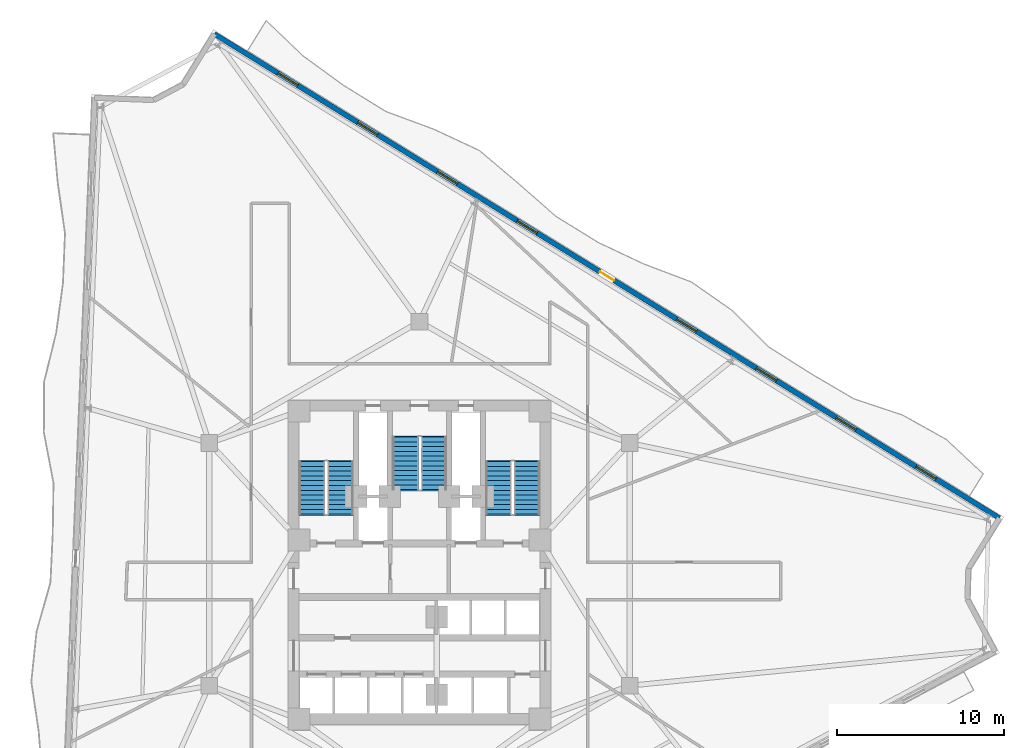
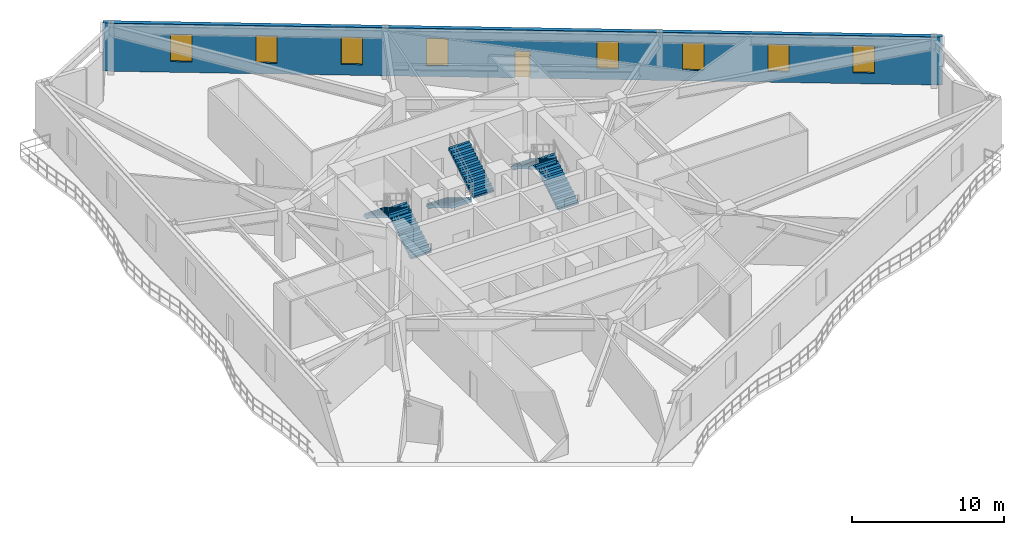
# One storey, part 8 of 12: 8 windows, 6 stair flights, 1 door, 1 wall, 9 openings, 3 elements without a shape of their own.
"""IFC4 building model written with IfcOpenShell, lengths in metres."""

from ifc_helpers import new_model, si_unit, direction, frame, frame_2d, origin, place, context, subcontext, project, spatial, polyline, rectangle, outline, extrude, material, layer, layer_set, type_object, element, fill, aggregate, save


model = new_model("IFC4")

# Units and contexts
model_context = context("Model", 3, precision=1e-05, world=origin(), true_north=direction((0.0, 1.0)))
body_context = subcontext(model_context, "Body", "Model", "MODEL_VIEW")
ifc_project = project(units=[si_unit("LENGTHUNIT", "METRE"), si_unit("AREAUNIT", "SQUARE_METRE"), si_unit("VOLUMEUNIT", "CUBIC_METRE"), si_unit("PLANEANGLEUNIT", "RADIAN"), si_unit("MASSUNIT", "GRAM", prefix="KILO")], contexts=[model_context])

# Site, building, storey
site_placement = place(None, origin())
site = spatial("IfcSite", under=ifc_project, at=site_placement, CompositionType="ELEMENT")
building_placement = place(site_placement, origin())
building = spatial("IfcBuilding", under=site, at=building_placement, Name="Apsidion Concourse Tower", CompositionType="ELEMENT")
storey_placement = place(building_placement, frame((0.0, 0.0, 181.89990234375)))
storey = spatial("IfcBuildingStorey", under=building, at=storey_placement, Name="L42", CompositionType="ELEMENT", Elevation=181.89990234375)

# Wall, openings, door, windows
ifc_material_1 = material(Name="Precast concrete C40/50", Category="concrete")
ifc_layer = layer(ifc_material_1, 0.300048828125)
ifc_layer_set = layer_set([ifc_layer], Name="Precast concrete C40/50")
wall_type = type_object("IfcWallType", Name="WL-EXT-300", PredefinedType="STANDARD", material=ifc_layer_set)
wall_placement = place(storey_placement, frame((-12.255126953125, 31.68896484375, 0.0), z_axis=(0.0, 0.0, 1.0), x_axis=(0.851166647402, -0.524895549944, 0.0)))
wall = element("IfcWall", 1, at=wall_placement, inside=storey, type_object=wall_type, Name="L42 Precast Stone Facade Wall 01", PredefinedType="STANDARD", context=body_context, shape_type="SweptSolid", body=[
    extrude(rectangle(XDim=55.110595703125, YDim=0.300048828125, at=frame_2d((27.55517578125, 0.0))), origin(), (0.0, 0.0, 1.0), 3.85009765625),
])
opening_1_placement = place(wall_placement, frame((27.055419921875, 0.0, 0.0)))
opening_1 = element("IfcOpeningElement", 2, at=opening_1_placement, cuts=wall, Name="Opening D-T1L", PredefinedType="OPENING", context=body_context, shape_type="SweptSolid", body=[
    extrude(rectangle(XDim=1.0, YDim=2.14990234375, at=frame_2d((0.5, 1.074951171875))), frame((0.0, 0.16015625, 0.0), z_axis=(0.0, -1.0, 0.0), x_axis=(1.0, 0.0, 0.0)), (0.0, 0.0, 1.0), 0.320068359375),
])
opening_2_placement = place(wall_placement, frame((4.455322265625, 0.0, 0.85009765625)))
opening_2 = element("IfcOpeningElement", 3, at=opening_2_placement, cuts=wall, Name="Opening WN-05", PredefinedType="OPENING", context=body_context, shape_type="SweptSolid", body=[
    extrude(rectangle(XDim=1.39990234375, YDim=2.199951171875, at=frame_2d((0.699951171875, 1.10009765625))), frame((0.0, 0.16015625, 0.0), z_axis=(0.0, -1.0, 0.0), x_axis=(1.0, 0.0, 0.0)), (0.0, 0.0, 1.0), 0.320068359375),
])
opening_3_placement = place(wall_placement, frame((10.055419921875, 0.0, 0.85009765625)))
opening_3 = element("IfcOpeningElement", 4, at=opening_3_placement, cuts=wall, Name="Opening WN-05", PredefinedType="OPENING", context=body_context, shape_type="SweptSolid", body=[
    extrude(rectangle(XDim=1.39990234375, YDim=2.199951171875, at=frame_2d((0.699951171875, 1.10009765625))), frame((0.0, 0.16015625, 0.0), z_axis=(0.0, -1.0, 0.0), x_axis=(1.0, 0.0, 0.0)), (0.0, 0.0, 1.0), 0.320068359375),
])
opening_4_placement = place(wall_placement, frame((15.6552734375, 0.0, 0.85009765625)))
opening_4 = element("IfcOpeningElement", 5, at=opening_4_placement, cuts=wall, Name="Opening WN-05", PredefinedType="OPENING", context=body_context, shape_type="SweptSolid", body=[
    extrude(rectangle(XDim=1.39990234375, YDim=2.199951171875, at=frame_2d((0.699951171875, 1.10009765625))), frame((0.0, 0.16015625, 0.0), z_axis=(0.0, -1.0, 0.0), x_axis=(1.0, 0.0, 0.0)), (0.0, 0.0, 1.0), 0.320068359375),
])
opening_5_placement = place(wall_placement, frame((21.25537109375, 0.0, 0.85009765625)))
opening_5 = element("IfcOpeningElement", 6, at=opening_5_placement, cuts=wall, Name="Opening WN-05", PredefinedType="OPENING", context=body_context, shape_type="SweptSolid", body=[
    extrude(rectangle(XDim=1.39990234375, YDim=2.199951171875, at=frame_2d((0.699951171875, 1.10009765625))), frame((0.0, 0.16015625, 0.0), z_axis=(0.0, -1.0, 0.0), x_axis=(1.0, 0.0, 0.0)), (0.0, 0.0, 1.0), 0.320068359375),
])
opening_6_placement = place(wall_placement, frame((32.455322265625, 0.0, 0.85009765625)))
opening_6 = element("IfcOpeningElement", 7, at=opening_6_placement, cuts=wall, Name="Opening WN-05", PredefinedType="OPENING", context=body_context, shape_type="SweptSolid", body=[
    extrude(rectangle(XDim=1.39990234375, YDim=2.199951171875, at=frame_2d((0.699951171875, 1.10009765625))), frame((0.0, 0.16015625, 0.0), z_axis=(0.0, -1.0, 0.0), x_axis=(1.0, 0.0, 0.0)), (0.0, 0.0, 1.0), 0.320068359375),
])
opening_7_placement = place(wall_placement, frame((38.055419921875, 0.0, 0.85009765625)))
opening_7 = element("IfcOpeningElement", 8, at=opening_7_placement, cuts=wall, Name="Opening WN-05", PredefinedType="OPENING", context=body_context, shape_type="SweptSolid", body=[
    extrude(rectangle(XDim=1.39990234375, YDim=2.199951171875, at=frame_2d((0.699951171875, 1.10009765625))), frame((0.0, 0.16015625, 0.0), z_axis=(0.0, -1.0, 0.0), x_axis=(1.0, 0.0, 0.0)), (0.0, 0.0, 1.0), 0.320068359375),
])
opening_8_placement = place(wall_placement, frame((43.6552734375, 0.0, 0.85009765625)))
opening_8 = element("IfcOpeningElement", 9, at=opening_8_placement, cuts=wall, Name="Opening WN-05", PredefinedType="OPENING", context=body_context, shape_type="SweptSolid", body=[
    extrude(rectangle(XDim=1.39990234375, YDim=2.199951171875, at=frame_2d((0.699951171875, 1.10009765625))), frame((0.0, 0.16015625, 0.0), z_axis=(0.0, -1.0, 0.0), x_axis=(1.0, 0.0, 0.0)), (0.0, 0.0, 1.0), 0.320068359375),
])
opening_9_placement = place(wall_placement, frame((49.25537109375, 0.0, 0.85009765625)))
opening_9 = element("IfcOpeningElement", 10, at=opening_9_placement, cuts=wall, Name="Opening WN-05", PredefinedType="OPENING", context=body_context, shape_type="SweptSolid", body=[
    extrude(rectangle(XDim=1.39990234375, YDim=2.199951171875, at=frame_2d((0.699951171875, 1.10009765625))), frame((0.0, 0.16015625, 0.0), z_axis=(0.0, -1.0, 0.0), x_axis=(1.0, 0.0, 0.0)), (0.0, 0.0, 1.0), 0.320068359375),
])
ifc_material_2 = material(Name="Anodised aluminium EN AW-6063 T6", Category="aluminium")
door_type = type_object("IfcDoorType", Name="DR-TER-1022L", OperationType="SINGLE_SWING_LEFT", PredefinedType="DOOR", material=ifc_material_2)
door_placement = place(opening_1_placement, origin())
door = element("IfcDoor", 11, at=door_placement, inside=storey, type_object=door_type, Name="L42 Balcony Access Door 3", OperationType="SINGLE_SWING_LEFT", OverallHeight=2.14990234375, OverallWidth=1.0, PredefinedType="DOOR", context=body_context, shape_type="SweptSolid", body=[
    extrude(rectangle(XDim=1.0, YDim=2.14990234375, at=frame_2d((0.5, 1.074951171875))), frame((0.0, 0.02490234375, 0.0), z_axis=(0.0, -1.0, 0.0), x_axis=(1.0, 0.0, 0.0)), (0.0, 0.0, 1.0), 0.050048828125),
])
fill(opening_1, door)
ifc_material_3 = material(Name="Insulated laminated low-E glass", Category="glass")
window_type = type_object("IfcWindowType", Name="WN-OFF-1424", PartitioningType="SINGLE_PANEL", PredefinedType="WINDOW", material=ifc_material_3)
window_1_placement = place(opening_2_placement, origin())
window_1 = element("IfcWindow", 12, at=window_1_placement, inside=storey, type_object=window_type, Name="L42 Punched Facade Window 1-01", OverallHeight=2.199951171875, OverallWidth=1.39990234375, PartitioningType="SINGLE_PANEL", PredefinedType="WINDOW", context=body_context, shape_type="SweptSolid", body=[
    extrude(rectangle(XDim=1.39990234375, YDim=2.199951171875, at=frame_2d((0.699951171875, 1.10009765625))), frame((0.0, 0.030029296875, 0.0), z_axis=(0.0, -1.0, 0.0), x_axis=(1.0, 0.0, 0.0)), (0.0, 0.0, 1.0), 0.06005859375),
])
fill(opening_2, window_1)
window_2_placement = place(opening_3_placement, origin())
window_2 = element("IfcWindow", 13, at=window_2_placement, inside=storey, type_object=window_type, Name="L42 Punched Facade Window 1-02", OverallHeight=2.199951171875, OverallWidth=1.39990234375, PartitioningType="SINGLE_PANEL", PredefinedType="WINDOW", context=body_context, shape_type="SweptSolid", body=[
    extrude(rectangle(XDim=1.39990234375, YDim=2.199951171875, at=frame_2d((0.699951171875, 1.10009765625))), frame((0.0, 0.030029296875, 0.0), z_axis=(0.0, -1.0, 0.0), x_axis=(1.0, 0.0, 0.0)), (0.0, 0.0, 1.0), 0.06005859375),
])
fill(opening_3, window_2)
window_3_placement = place(opening_4_placement, origin())
window_3 = element("IfcWindow", 14, at=window_3_placement, inside=storey, type_object=window_type, Name="L42 Punched Facade Window 1-03", OverallHeight=2.199951171875, OverallWidth=1.39990234375, PartitioningType="SINGLE_PANEL", PredefinedType="WINDOW", context=body_context, shape_type="SweptSolid", body=[
    extrude(rectangle(XDim=1.39990234375, YDim=2.199951171875, at=frame_2d((0.699951171875, 1.10009765625))), frame((0.0, 0.030029296875, 0.0), z_axis=(0.0, -1.0, 0.0), x_axis=(1.0, 0.0, 0.0)), (0.0, 0.0, 1.0), 0.06005859375),
])
fill(opening_4, window_3)
window_4_placement = place(opening_5_placement, origin())
window_4 = element("IfcWindow", 15, at=window_4_placement, inside=storey, type_object=window_type, Name="L42 Punched Facade Window 1-04", OverallHeight=2.199951171875, OverallWidth=1.39990234375, PartitioningType="SINGLE_PANEL", PredefinedType="WINDOW", context=body_context, shape_type="SweptSolid", body=[
    extrude(rectangle(XDim=1.39990234375, YDim=2.199951171875, at=frame_2d((0.699951171875, 1.10009765625))), frame((0.0, 0.030029296875, 0.0), z_axis=(0.0, -1.0, 0.0), x_axis=(1.0, 0.0, 0.0)), (0.0, 0.0, 1.0), 0.06005859375),
])
fill(opening_5, window_4)
window_5_placement = place(opening_6_placement, origin())
window_5 = element("IfcWindow", 16, at=window_5_placement, inside=storey, type_object=window_type, Name="L42 Punched Facade Window 1-06", OverallHeight=2.199951171875, OverallWidth=1.39990234375, PartitioningType="SINGLE_PANEL", PredefinedType="WINDOW", context=body_context, shape_type="SweptSolid", body=[
    extrude(rectangle(XDim=1.39990234375, YDim=2.199951171875, at=frame_2d((0.699951171875, 1.10009765625))), frame((0.0, 0.030029296875, 0.0), z_axis=(0.0, -1.0, 0.0), x_axis=(1.0, 0.0, 0.0)), (0.0, 0.0, 1.0), 0.06005859375),
])
fill(opening_6, window_5)
window_6_placement = place(opening_7_placement, origin())
window_6 = element("IfcWindow", 17, at=window_6_placement, inside=storey, type_object=window_type, Name="L42 Punched Facade Window 1-07", OverallHeight=2.199951171875, OverallWidth=1.39990234375, PartitioningType="SINGLE_PANEL", PredefinedType="WINDOW", context=body_context, shape_type="SweptSolid", body=[
    extrude(rectangle(XDim=1.39990234375, YDim=2.199951171875, at=frame_2d((0.699951171875, 1.10009765625))), frame((0.0, 0.030029296875, 0.0), z_axis=(0.0, -1.0, 0.0), x_axis=(1.0, 0.0, 0.0)), (0.0, 0.0, 1.0), 0.06005859375),
])
fill(opening_7, window_6)
window_7_placement = place(opening_8_placement, origin())
window_7 = element("IfcWindow", 18, at=window_7_placement, inside=storey, type_object=window_type, Name="L42 Punched Facade Window 1-08", OverallHeight=2.199951171875, OverallWidth=1.39990234375, PartitioningType="SINGLE_PANEL", PredefinedType="WINDOW", context=body_context, shape_type="SweptSolid", body=[
    extrude(rectangle(XDim=1.39990234375, YDim=2.199951171875, at=frame_2d((0.699951171875, 1.10009765625))), frame((0.0, 0.030029296875, 0.0), z_axis=(0.0, -1.0, 0.0), x_axis=(1.0, 0.0, 0.0)), (0.0, 0.0, 1.0), 0.06005859375),
])
fill(opening_8, window_7)
window_8_placement = place(opening_9_placement, origin())
window_8 = element("IfcWindow", 19, at=window_8_placement, inside=storey, type_object=window_type, Name="L42 Punched Facade Window 1-09", OverallHeight=2.199951171875, OverallWidth=1.39990234375, PartitioningType="SINGLE_PANEL", PredefinedType="WINDOW", context=body_context, shape_type="SweptSolid", body=[
    extrude(rectangle(XDim=1.39990234375, YDim=2.199951171875, at=frame_2d((0.699951171875, 1.10009765625))), frame((0.0, 0.030029296875, 0.0), z_axis=(0.0, -1.0, 0.0), x_axis=(1.0, 0.0, 0.0)), (0.0, 0.0, 1.0), 0.06005859375),
])
fill(opening_9, window_8)

# Stair, stair flights
stair_type = type_object("IfcStairType", Name="ST-DL-1550", PredefinedType="HALF_TURN_STAIR", material=ifc_material_1)
stair_1_placement = place(storey_placement, origin())
stair_1 = element("IfcStair", 20, at=stair_1_placement, inside=storey, type_object=stair_type, Name="L42 Protected Core Exit Stair ST1", PredefinedType="HALF_TURN_STAIR")
stair_flight_type = type_object("IfcStairFlightType", Name="SFL-RC-1550", PredefinedType="STRAIGHT", material=ifc_material_1)
stair_flight_1_placement = place(storey_placement, frame((-4.72509765625, 3.0, 0.0), z_axis=(0.0, 0.0, 1.0), x_axis=(0.0, 1.0, 0.0)))
stair_flight_1 = element("IfcStairFlight", 21, at=stair_flight_1_placement, type_object=stair_flight_type, Name="ST1 flight 1", NumberOfRisers=12, NumberOfTreads=11, PredefinedType="STRAIGHT", RiserHeight=0.170833333, TreadLength=0.285, context=body_context, shape_type="SweptSolid", body=[
    extrude(outline(polyline([(-0.080078125, -0.1123046875), (-0.080078125, 0.0), (0.0, 0.0), (0.0, 0.1708984375), (0.284912109375, 0.1708984375), (0.284912109375, 0.341552734375), (0.570068359375, 0.341552734375), (0.570068359375, 0.512451171875), (0.85498046875, 0.512451171875), (0.85498046875, 0.683349609375), (1.139892578125, 0.683349609375), (1.139892578125, 0.854248046875), (1.425048828125, 0.854248046875), (1.425048828125, 1.02490234375), (1.7099609375, 1.02490234375), (1.7099609375, 1.19580078125), (1.9951171875, 1.19580078125), (1.9951171875, 1.36669921875), (2.280029296875, 1.36669921875), (2.280029296875, 1.53759765625), (2.56494140625, 1.53759765625), (2.56494140625, 1.708251953125), (2.85009765625, 1.708251953125), (2.85009765625, 1.879150390625), (3.135009765625, 1.879150390625), (3.135009765625, 2.050048828125), (3.215087890625, 1.964599609375), (3.215087890625, 1.704345703125), (3.135009765625, 1.704345703125), (0.29150390625, 0.0), (0.29150390625, -0.1123046875), (-0.080078125, -0.1123046875)])), frame((0.0, 0.77490234375, 0.0), z_axis=(0.0, -1.0, 0.0), x_axis=(1.0, 0.0, 0.0)), (0.0, 0.0, 1.0), 1.550048828125),
])
stair_flight_2_placement = place(storey_placement, frame((-6.425048828125, 6.135009765625, 2.050048828125), z_axis=(0.0, 0.0, 1.0), x_axis=(0.0, -1.0, 0.0)))
stair_flight_2 = element("IfcStairFlight", 22, at=stair_flight_2_placement, type_object=stair_flight_type, Name="ST1 flight 2", NumberOfRisers=12, NumberOfTreads=11, PredefinedType="STRAIGHT", RiserHeight=0.170833333, TreadLength=0.285, context=body_context, shape_type="SweptSolid", body=[
    extrude(outline(polyline([(-0.080078125, -0.1123046875), (-0.080078125, 0.0), (0.0, 0.0), (0.0, 0.1708984375), (0.284912109375, 0.1708984375), (0.284912109375, 0.341552734375), (0.570068359375, 0.341552734375), (0.570068359375, 0.512451171875), (0.85498046875, 0.512451171875), (0.85498046875, 0.683349609375), (1.139892578125, 0.683349609375), (1.139892578125, 0.854248046875), (1.425048828125, 0.854248046875), (1.425048828125, 1.02490234375), (1.7099609375, 1.02490234375), (1.7099609375, 1.19580078125), (1.9951171875, 1.19580078125), (1.9951171875, 1.36669921875), (2.280029296875, 1.36669921875), (2.280029296875, 1.53759765625), (2.56494140625, 1.53759765625), (2.56494140625, 1.708251953125), (2.85009765625, 1.708251953125), (2.85009765625, 1.879150390625), (3.135009765625, 1.879150390625), (3.135009765625, 2.050048828125), (3.215087890625, 1.964599609375), (3.215087890625, 1.704345703125), (3.135009765625, 1.704345703125), (0.29150390625, 0.0), (0.29150390625, -0.1123046875), (-0.080078125, -0.1123046875)])), frame((0.0, 0.77490234375, 0.0), z_axis=(0.0, -1.0, 0.0), x_axis=(1.0, 0.0, 0.0)), (0.0, 0.0, 1.0), 1.550048828125),
])
aggregate(stair_1, [stair_flight_1, stair_flight_2])

stair_2_placement = place(storey_placement, origin())
stair_2 = element("IfcStair", 23, at=stair_2_placement, inside=storey, type_object=stair_type, Name="L42 Protected Core Exit Stair ST2", PredefinedType="HALF_TURN_STAIR")
stair_flight_3_placement = place(storey_placement, frame((6.425048828125, 3.0, 0.0), z_axis=(0.0, 0.0, 1.0), x_axis=(0.0, 1.0, 0.0)))
stair_flight_3 = element("IfcStairFlight", 24, at=stair_flight_3_placement, type_object=stair_flight_type, Name="ST2 flight 1", NumberOfRisers=12, NumberOfTreads=11, PredefinedType="STRAIGHT", RiserHeight=0.170833333, TreadLength=0.285, context=body_context, shape_type="SweptSolid", body=[
    extrude(outline(polyline([(-0.080078125, -0.1123046875), (-0.080078125, 0.0), (0.0, 0.0), (0.0, 0.1708984375), (0.284912109375, 0.1708984375), (0.284912109375, 0.341552734375), (0.570068359375, 0.341552734375), (0.570068359375, 0.512451171875), (0.85498046875, 0.512451171875), (0.85498046875, 0.683349609375), (1.139892578125, 0.683349609375), (1.139892578125, 0.854248046875), (1.425048828125, 0.854248046875), (1.425048828125, 1.02490234375), (1.7099609375, 1.02490234375), (1.7099609375, 1.19580078125), (1.9951171875, 1.19580078125), (1.9951171875, 1.36669921875), (2.280029296875, 1.36669921875), (2.280029296875, 1.53759765625), (2.56494140625, 1.53759765625), (2.56494140625, 1.708251953125), (2.85009765625, 1.708251953125), (2.85009765625, 1.879150390625), (3.135009765625, 1.879150390625), (3.135009765625, 2.050048828125), (3.215087890625, 1.964599609375), (3.215087890625, 1.704345703125), (3.135009765625, 1.704345703125), (0.29150390625, 0.0), (0.29150390625, -0.1123046875), (-0.080078125, -0.1123046875)])), frame((0.0, 0.77490234375, 0.0), z_axis=(0.0, -1.0, 0.0), x_axis=(1.0, 0.0, 0.0)), (0.0, 0.0, 1.0), 1.550048828125),
])
stair_flight_4_placement = place(storey_placement, frame((4.72509765625, 6.135009765625, 2.050048828125), z_axis=(0.0, 0.0, 1.0), x_axis=(0.0, -1.0, 0.0)))
stair_flight_4 = element("IfcStairFlight", 25, at=stair_flight_4_placement, type_object=stair_flight_type, Name="ST2 flight 2", NumberOfRisers=12, NumberOfTreads=11, PredefinedType="STRAIGHT", RiserHeight=0.170833333, TreadLength=0.285, context=body_context, shape_type="SweptSolid", body=[
    extrude(outline(polyline([(-0.080078125, -0.1123046875), (-0.080078125, 0.0), (0.0, 0.0), (0.0, 0.1708984375), (0.284912109375, 0.1708984375), (0.284912109375, 0.341552734375), (0.570068359375, 0.341552734375), (0.570068359375, 0.512451171875), (0.85498046875, 0.512451171875), (0.85498046875, 0.683349609375), (1.139892578125, 0.683349609375), (1.139892578125, 0.854248046875), (1.425048828125, 0.854248046875), (1.425048828125, 1.02490234375), (1.7099609375, 1.02490234375), (1.7099609375, 1.19580078125), (1.9951171875, 1.19580078125), (1.9951171875, 1.36669921875), (2.280029296875, 1.36669921875), (2.280029296875, 1.53759765625), (2.56494140625, 1.53759765625), (2.56494140625, 1.708251953125), (2.85009765625, 1.708251953125), (2.85009765625, 1.879150390625), (3.135009765625, 1.879150390625), (3.135009765625, 2.050048828125), (3.215087890625, 1.964599609375), (3.215087890625, 1.704345703125), (3.135009765625, 1.704345703125), (0.29150390625, 0.0), (0.29150390625, -0.1123046875), (-0.080078125, -0.1123046875)])), frame((0.0, 0.77490234375, 0.0), z_axis=(0.0, -1.0, 0.0), x_axis=(1.0, 0.0, 0.0)), (0.0, 0.0, 1.0), 1.550048828125),
])
aggregate(stair_2, [stair_flight_3, stair_flight_4])

stair_3_placement = place(storey_placement, origin())
stair_3 = element("IfcStair", 26, at=stair_3_placement, inside=storey, type_object=stair_type, Name="L42 Protected Core Exit Stair ST3", PredefinedType="HALF_TURN_STAIR")
stair_flight_5_placement = place(storey_placement, frame((-0.85009765625, 7.60009765625, 0.0), z_axis=(0.0, 0.0, 1.0), x_axis=(0.0, -1.0, 0.0)))
stair_flight_5 = element("IfcStairFlight", 27, at=stair_flight_5_placement, type_object=stair_flight_type, Name="ST3 flight 1", NumberOfRisers=12, NumberOfTreads=11, PredefinedType="STRAIGHT", RiserHeight=0.170833333, TreadLength=0.285, context=body_context, shape_type="SweptSolid", body=[
    extrude(outline(polyline([(-0.080078125, -0.1123046875), (-0.080078125, 0.0), (0.0, 0.0), (0.0, 0.1708984375), (0.284912109375, 0.1708984375), (0.284912109375, 0.341552734375), (0.570068359375, 0.341552734375), (0.570068359375, 0.512451171875), (0.85498046875, 0.512451171875), (0.85498046875, 0.683349609375), (1.139892578125, 0.683349609375), (1.139892578125, 0.854248046875), (1.425048828125, 0.854248046875), (1.425048828125, 1.02490234375), (1.7099609375, 1.02490234375), (1.7099609375, 1.19580078125), (1.9951171875, 1.19580078125), (1.9951171875, 1.36669921875), (2.280029296875, 1.36669921875), (2.280029296875, 1.53759765625), (2.56494140625, 1.53759765625), (2.56494140625, 1.708251953125), (2.85009765625, 1.708251953125), (2.85009765625, 1.879150390625), (3.135009765625, 1.879150390625), (3.135009765625, 2.050048828125), (3.215087890625, 1.964599609375), (3.215087890625, 1.704345703125), (3.135009765625, 1.704345703125), (0.29150390625, 0.0), (0.29150390625, -0.1123046875), (-0.080078125, -0.1123046875)])), frame((0.0, 0.77490234375, 0.0), z_axis=(0.0, -1.0, 0.0), x_axis=(1.0, 0.0, 0.0)), (0.0, 0.0, 1.0), 1.550048828125),
])
stair_flight_6_placement = place(storey_placement, frame((0.85009765625, 4.465087890625, 2.050048828125), z_axis=(0.0, 0.0, 1.0), x_axis=(0.0, 1.0, 0.0)))
stair_flight_6 = element("IfcStairFlight", 28, at=stair_flight_6_placement, type_object=stair_flight_type, Name="ST3 flight 2", NumberOfRisers=12, NumberOfTreads=11, PredefinedType="STRAIGHT", RiserHeight=0.170833333, TreadLength=0.285, context=body_context, shape_type="SweptSolid", body=[
    extrude(outline(polyline([(-0.080078125, -0.1123046875), (-0.080078125, 0.0), (0.0, 0.0), (0.0, 0.1708984375), (0.284912109375, 0.1708984375), (0.284912109375, 0.341552734375), (0.570068359375, 0.341552734375), (0.570068359375, 0.512451171875), (0.85498046875, 0.512451171875), (0.85498046875, 0.683349609375), (1.139892578125, 0.683349609375), (1.139892578125, 0.854248046875), (1.425048828125, 0.854248046875), (1.425048828125, 1.02490234375), (1.7099609375, 1.02490234375), (1.7099609375, 1.19580078125), (1.9951171875, 1.19580078125), (1.9951171875, 1.36669921875), (2.280029296875, 1.36669921875), (2.280029296875, 1.53759765625), (2.56494140625, 1.53759765625), (2.56494140625, 1.708251953125), (2.85009765625, 1.708251953125), (2.85009765625, 1.879150390625), (3.135009765625, 1.879150390625), (3.135009765625, 2.050048828125), (3.215087890625, 1.964599609375), (3.215087890625, 1.704345703125), (3.135009765625, 1.704345703125), (0.29150390625, 0.0), (0.29150390625, -0.1123046875), (-0.080078125, -0.1123046875)])), frame((0.0, 0.77490234375, 0.0), z_axis=(0.0, -1.0, 0.0), x_axis=(1.0, 0.0, 0.0)), (0.0, 0.0, 1.0), 1.550048828125),
])
aggregate(stair_3, [stair_flight_5, stair_flight_6])

save(model, "model.ifc")
